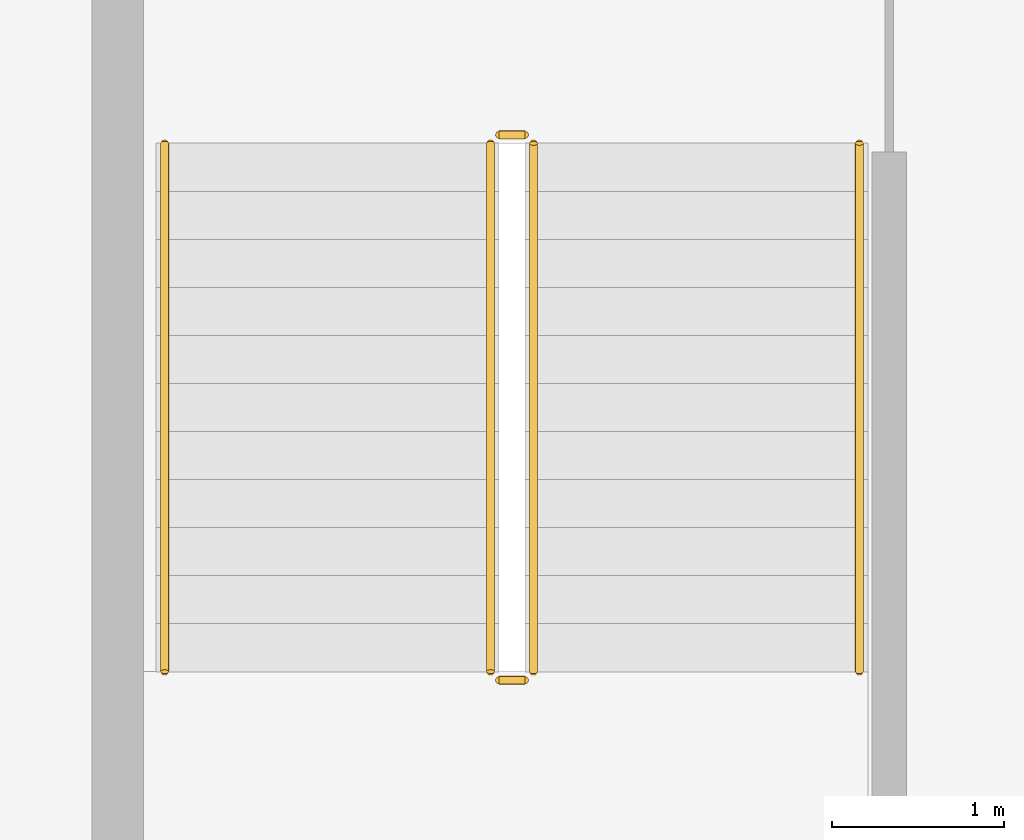
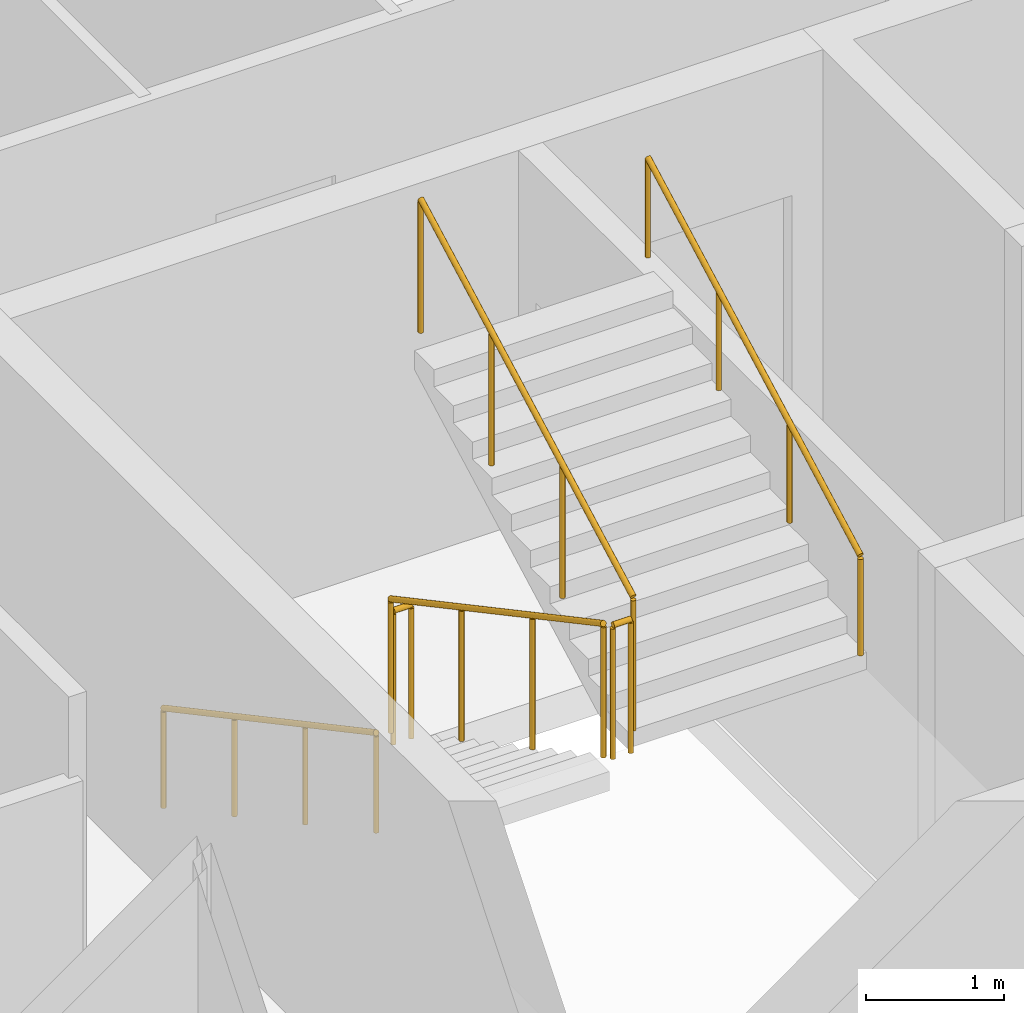
# One storey, part 13 of 15: 6 railings.
"""IFC4 building model written with IfcOpenShell, lengths in metres."""

import ifcopenshell
import ifcopenshell.guid

model = None  # the IFC model being written
_history = None  # IfcOwnerHistory: only IFC2X3 demands one
_inside = {}  # id of a spatial element -> (the spatial element, [elements in it])
_under = {}  # id of a project, library or spatial element -> (it, [spatial elements below it])
_declared = {}  # id of a project -> (the project, [libraries it declares])
_typed = {}  # id of a type object -> (the type object, [elements of that type])
_made_of = {}  # id of a material, layer set ... -> (it, [elements and type objects made of it])


def new_model(schema):
    """Start an empty IFC model of exactly this schema.

    Asked for "IFC4X3", IfcOpenShell would pick the latest addendum, in which some entities
    have other attributes; the version numbers below select the first issue.
    IFC2X3 requires an IfcOwnerHistory on every rooted entity: one is made here for all.
    """
    global model, _history
    if schema == "IFC4X3":
        model = ifcopenshell.file(schema_version=(4, 3, 0, 0))
    else:
        model = ifcopenshell.file(schema=schema)
    _inside.clear()
    _under.clear()
    _declared.clear()
    _typed.clear()
    _made_of.clear()
    _history = None
    if model.schema == "IFC2X3":
        org = make("IfcOrganization", Name="unknown")
        user = make(
            "IfcPersonAndOrganization",
            ThePerson=make("IfcPerson", FamilyName="unknown"),
            TheOrganization=org,
        )
        app = make(
            "IfcApplication",
            ApplicationDeveloper=org,
            Version="unknown",
            ApplicationFullName="unknown",
            ApplicationIdentifier="unknown",
        )
        _history = make(
            "IfcOwnerHistory",
            OwningUser=user,
            OwningApplication=app,
            ChangeAction="ADDED",
            CreationDate=0,
        )
    return model


def make(cls, **values):
    """One entity of the class cls with the attributes given. An attribute that is None is left unset."""
    return model.create_entity(
        cls, **{name: value for name, value in values.items() if value is not None}
    )


def rooted(cls, **values):
    """An entity with a GlobalId (a new one), such as an element, a storey or a relation."""
    return make(cls, GlobalId=ifcopenshell.guid.new(), OwnerHistory=_history, **values)


def si_unit(unit_type, name, prefix=None):
    """IfcSIUnit, for example si_unit("LENGTHUNIT", "METRE", prefix="MILLI")."""
    return make("IfcSIUnit", UnitType=unit_type, Prefix=prefix, Name=name)


def assignment(units):
    """IfcUnitAssignment: the units of a project."""
    return None if units is None else make("IfcUnitAssignment", Units=units)


def point(xyz):
    """IfcCartesianPoint."""
    return None if xyz is None else make("IfcCartesianPoint", Coordinates=xyz)


def direction(xyz):
    """IfcDirection."""
    return None if xyz is None else make("IfcDirection", DirectionRatios=xyz)


def frame(location, z_axis=None, x_axis=None):
    """IfcAxis2Placement3D, a coordinate frame: its origin and axes. An axis left out is left unset."""
    return make(
        "IfcAxis2Placement3D",
        Location=point(location),
        Axis=direction(z_axis),
        RefDirection=direction(x_axis),
    )


def frame_2d(location, x_axis=None):
    """IfcAxis2Placement2D, a coordinate frame in the plane: its origin and x axis."""
    return make(
        "IfcAxis2Placement2D", Location=point(location), RefDirection=direction(x_axis)
    )


def origin():
    """The frame at (0, 0, 0) with its axes left unset."""
    return frame((0.0, 0.0, 0.0))


def origin_2d():
    """The frame at (0, 0) in the plane with its x axis left unset."""
    return frame_2d((0.0, 0.0))


def place(relative_to, where):
    """IfcLocalPlacement: puts the frame where relative to a parent placement (None: the world)."""
    return make(
        "IfcLocalPlacement", PlacementRelTo=relative_to, RelativePlacement=where
    )


def context(
    kind, dimensions, precision=None, world=None, true_north=None, identifier=None
):
    """IfcGeometricRepresentationContext, for example the 3D "Model" context."""
    return make(
        "IfcGeometricRepresentationContext",
        ContextIdentifier=identifier,
        ContextType=kind,
        CoordinateSpaceDimension=dimensions,
        Precision=precision,
        WorldCoordinateSystem=world,
        TrueNorth=true_north,
    )


def subcontext(parent, identifier, kind, view, scale=None):
    """IfcGeometricRepresentationSubContext, for example "Body" below "Model"."""
    return make(
        "IfcGeometricRepresentationSubContext",
        ContextIdentifier=identifier,
        ContextType=kind,
        ParentContext=parent,
        TargetScale=scale,
        TargetView=view,
    )


def project(units=None, contexts=None):
    """IfcProject with its units and contexts."""
    return rooted(
        "IfcProject",
        Name="project",
        RepresentationContexts=contexts,
        UnitsInContext=assignment(units),
    )


def spatial(cls, under=None, at=None, **own):
    """A site, building, storey or space (cls), placed at a placement, below another one or the project."""
    s = rooted(cls, ObjectPlacement=at, **own)
    if under is not None:
        _under.setdefault(under.id(), (under, []))[1].append(s)
    return s


def profile(cls, at=None, kind="AREA", **sizes):
    """A parametric profile (cls). Its sizes go by their IFC names, for example OverallWidth=200.0."""
    return make(cls, ProfileType=kind, Position=at, **sizes)


def circle(**sizes):
    """IfcCircleProfileDef."""
    return profile("IfcCircleProfileDef", **sizes)


def extrude(swept, where, along, depth):
    """IfcExtrudedAreaSolid: the profile swept, set in the frame where, extruded along a direction by depth."""
    return make(
        "IfcExtrudedAreaSolid",
        SweptArea=swept,
        Position=where,
        ExtrudedDirection=direction(along),
        Depth=depth,
    )


def shape(context_of_items, identifier, shape_type, items):
    """IfcShapeRepresentation: the items that make up one representation, for example the "Body"."""
    return make(
        "IfcShapeRepresentation",
        ContextOfItems=context_of_items,
        RepresentationIdentifier=identifier,
        RepresentationType=shape_type,
        Items=items,
    )


def material(Name=None, Category=None):
    """IfcMaterial."""
    return make("IfcMaterial", Name=Name, Category=Category)


def made_of(thing, what):
    """Note that an element or type object is made of a material, layer set ...; save() writes the relation."""
    if what is not None:
        _made_of.setdefault(what.id(), (what, []))[1].append(thing)
    return thing


def type_object(cls, material=None, **own):
    """A type object (cls), such as IfcWallType, which elements share."""
    return made_of(rooted(cls, **own), material)


def element(
    cls,
    number,
    at=None,
    inside=None,
    cuts=None,
    type_object=None,
    material=None,
    context=None,
    identifier="Body",
    shape_type=None,
    held_by="IfcProductDefinitionShape",
    body=None,
    shapes=None,
    **own,
):
    """One element of the class cls, such as IfcWall. Its Tag is "e" and its number.

    at: its placement. inside: the storey or other place that contains it. cuts: it is an
    opening in that element (IfcRelVoidsElement). A single representation is given by context,
    identifier, shape_type and body (its items); several are given by shapes. held_by: the class
    of the entity that holds the representations. save() writes the other relations.
    """
    e = rooted(cls, Tag="e%d" % number, ObjectPlacement=at, **own)
    if body is not None:
        shapes = [shape(context, identifier, shape_type, body)]
    if shapes is not None:
        e.Representation = make(held_by, Representations=shapes)
    if inside is not None:
        _inside.setdefault(inside.id(), (inside, []))[1].append(e)
    if cuts is not None:
        rooted(
            "IfcRelVoidsElement", RelatingBuildingElement=cuts, RelatedOpeningElement=e
        )
    if type_object is not None:
        _typed.setdefault(type_object.id(), (type_object, []))[1].append(e)
    return made_of(e, material)


def aggregate(whole, parts):
    """IfcRelAggregates: a whole, such as a stair, and the parts it consists of."""
    return rooted("IfcRelAggregates", RelatingObject=whole, RelatedObjects=parts)


def save(model, path):
    """Write the relations noted so far, then the file.

    IfcRelAggregates (storeys below a building ...), IfcRelContainedInSpatialStructure (elements
    in a storey), IfcRelDefinesByType, IfcRelAssociatesMaterial and IfcRelDeclares: one each for
    every whole, place, type object, material and project.
    """
    for whole, parts in _under.values():
        aggregate(whole, parts)
    for where, things in _inside.values():
        rooted(
            "IfcRelContainedInSpatialStructure",
            RelatedElements=things,
            RelatingStructure=where,
        )
    for kind, things in _typed.values():
        rooted("IfcRelDefinesByType", RelatedObjects=things, RelatingType=kind)
    for what, things in _made_of.values():
        rooted("IfcRelAssociatesMaterial", RelatedObjects=things, RelatingMaterial=what)
    for by, libraries in _declared.values():
        rooted("IfcRelDeclares", RelatingContext=by, RelatedDefinitions=libraries)
    model.write(path)


model = new_model("IFC4")

# Units and contexts
model_context = context("Model", 3, precision=1e-05, world=origin(), true_north=direction((0.0, 1.0)))
body_context = subcontext(model_context, "Body", "Model", "MODEL_VIEW")
ifc_project = project(units=[si_unit("LENGTHUNIT", "METRE"), si_unit("AREAUNIT", "SQUARE_METRE"), si_unit("VOLUMEUNIT", "CUBIC_METRE"), si_unit("PLANEANGLEUNIT", "RADIAN"), si_unit("MASSUNIT", "GRAM", prefix="KILO")], contexts=[model_context])

# Site, building, storey
site_placement = place(None, origin())
site = spatial("IfcSite", under=ifc_project, at=site_placement, CompositionType="ELEMENT")
building_placement = place(site_placement, origin())
building = spatial("IfcBuilding", under=site, at=building_placement, Name="Caravel Reach Hotel and Residences", CompositionType="ELEMENT")
storey_placement = place(building_placement, frame((0.0, 0.0, 60.0)))
storey = spatial("IfcBuildingStorey", under=building, at=storey_placement, Name="L13", CompositionType="ELEMENT", Elevation=60.0)

# Railings
ifc_material_1 = material(Name="Steel balustrade with glass infill", Category="steel")
railing_type_1 = type_object("IfcRailingType", Name="Guard 1200", PredefinedType="GUARDRAIL", material=ifc_material_1)
railing_1_placement = place(storey_placement, frame((20.175048828125, 29.35009765625, 0.14990234375)))
element("IfcRailing", 1, at=railing_1_placement, inside=storey, type_object=railing_type_1, Name="L13 ST-A stair guard 1", PredefinedType="GUARDRAIL", context=body_context, shape_type="SweptSolid", body=[
    extrude(circle(Radius=0.02392578125, at=origin_2d()), frame((0.0, 0.0, 1.17578125), z_axis=(0.0, -0.881467505477, 0.472244678941), x_axis=(1.0, 0.0, 0.0)), (0.0, 0.0, 1.0), 3.494140625),
    extrude(circle(Radius=0.02099609375, at=origin_2d()), origin(), (0.0, 0.0, 1.0), 1.15185546875),
    extrude(circle(Radius=0.02099609375, at=origin_2d()), frame((0.0, -1.026611328125, 0.550048828125)), (0.0, 0.0, 1.0), 1.15185546875),
    extrude(circle(Radius=0.02099609375, at=origin_2d()), frame((0.0, -2.053466796875, 1.10009765625)), (0.0, 0.0, 1.0), 1.15185546875),
    extrude(circle(Radius=0.02099609375, at=origin_2d()), frame((0.0, -3.080078125, 1.650146484375)), (0.0, 0.0, 1.0), 1.15185546875),
])
railing_2_placement = place(storey_placement, frame((20.22509765625, 26.219970703125, 1.800048828125)))
element("IfcRailing", 2, at=railing_2_placement, inside=storey, type_object=railing_type_1, Name="L13 ST-A stair guard 2", PredefinedType="GUARDRAIL", context=body_context, shape_type="SweptSolid", body=[
    extrude(circle(Radius=0.02392578125, at=origin_2d()), frame((0.0, 0.0, 1.17578125), z_axis=(1.0, 0.0, 0.0), x_axis=(0.0, 1.0, 0.0)), (0.0, 0.0, 1.0), 0.14990234375),
    extrude(circle(Radius=0.02099609375, at=origin_2d()), origin(), (0.0, 0.0, 1.0), 1.15185546875),
    extrude(circle(Radius=0.02099609375, at=origin_2d()), frame((0.14990234375, 0.0, 0.0)), (0.0, 0.0, 1.0), 1.15185546875),
])
railing_3_placement = place(storey_placement, frame((20.425048828125, 26.27001953125, 1.949951171875)))
element("IfcRailing", 3, at=railing_3_placement, inside=storey, type_object=railing_type_1, Name="L13 ST-A stair guard 3", PredefinedType="GUARDRAIL", context=body_context, shape_type="SweptSolid", body=[
    extrude(circle(Radius=0.02392578125, at=origin_2d()), frame((0.0, 0.0, 1.17578125), z_axis=(0.0, 0.881467505477, 0.472244678941), x_axis=(-1.0, 0.0, 0.0)), (0.0, 0.0, 1.0), 3.494140625),
    extrude(circle(Radius=0.02099609375, at=origin_2d()), origin(), (0.0, 0.0, 1.0), 1.15185546875),
    extrude(circle(Radius=0.02099609375, at=origin_2d()), frame((0.0, 1.026611328125, 0.550048828125)), (0.0, 0.0, 1.0), 1.15185546875),
    extrude(circle(Radius=0.02099609375, at=origin_2d()), frame((0.0, 2.053466796875, 1.10009765625)), (0.0, 0.0, 1.0), 1.15185546875),
    extrude(circle(Radius=0.02099609375, at=origin_2d()), frame((0.0, 3.080078125, 1.650146484375)), (0.0, 0.0, 1.0), 1.15185546875),
])
railing_4_placement = place(storey_placement, frame((20.22509765625, 29.39990234375, 0.0)))
element("IfcRailing", 4, at=railing_4_placement, inside=storey, type_object=railing_type_1, Name="L13 ST-A stair guard 4", PredefinedType="GUARDRAIL", context=body_context, shape_type="SweptSolid", body=[
    extrude(circle(Radius=0.02392578125, at=origin_2d()), frame((0.0, 0.0, 1.17578125), z_axis=(1.0, 0.0, 0.0), x_axis=(0.0, 1.0, 0.0)), (0.0, 0.0, 1.0), 0.14990234375),
    extrude(circle(Radius=0.02099609375, at=origin_2d()), origin(), (0.0, 0.0, 1.0), 1.15185546875),
    extrude(circle(Radius=0.02099609375, at=origin_2d()), frame((0.14990234375, 0.0, 0.0)), (0.0, 0.0, 1.0), 1.15185546875),
])
ifc_material_2 = material(Name="Stainless steel handrail", Category="steel")
railing_type_2 = type_object("IfcRailingType", Name="Handrail 900", PredefinedType="HANDRAIL", material=ifc_material_2)
railing_5_placement = place(storey_placement, frame((18.27490234375, 29.35009765625, 0.14990234375)))
element("IfcRailing", 5, at=railing_5_placement, inside=storey, type_object=railing_type_2, Name="L13 ST-A stair handrail 1", PredefinedType="HANDRAIL", context=body_context, shape_type="SweptSolid", body=[
    extrude(circle(Radius=0.02392578125, at=origin_2d()), frame((0.0, 0.0, 0.8759765625), z_axis=(0.0, -0.881467505477, 0.472244678941), x_axis=(1.0, 0.0, 0.0)), (0.0, 0.0, 1.0), 3.494140625),
    extrude(circle(Radius=0.02099609375, at=origin_2d()), origin(), (0.0, 0.0, 1.0), 0.851806640625),
    extrude(circle(Radius=0.02099609375, at=origin_2d()), frame((0.0, -1.026611328125, 0.550048828125)), (0.0, 0.0, 1.0), 0.851806640625),
    extrude(circle(Radius=0.02099609375, at=origin_2d()), frame((0.0, -2.053466796875, 1.10009765625)), (0.0, 0.0, 1.0), 0.851806640625),
    extrude(circle(Radius=0.02099609375, at=origin_2d()), frame((0.0, -3.080078125, 1.650146484375)), (0.0, 0.0, 1.0), 0.851806640625),
])
railing_6_placement = place(storey_placement, frame((22.324951171875, 26.27001953125, 1.949951171875)))
element("IfcRailing", 6, at=railing_6_placement, inside=storey, type_object=railing_type_2, Name="L13 ST-A stair handrail 2", PredefinedType="HANDRAIL", context=body_context, shape_type="SweptSolid", body=[
    extrude(circle(Radius=0.02392578125, at=origin_2d()), frame((0.0, 0.0, 0.8759765625), z_axis=(0.0, 0.881467505477, 0.472244678941), x_axis=(-1.0, 0.0, 0.0)), (0.0, 0.0, 1.0), 3.494140625),
    extrude(circle(Radius=0.02099609375, at=origin_2d()), origin(), (0.0, 0.0, 1.0), 0.851806640625),
    extrude(circle(Radius=0.02099609375, at=origin_2d()), frame((0.0, 1.026611328125, 0.550048828125)), (0.0, 0.0, 1.0), 0.851806640625),
    extrude(circle(Radius=0.02099609375, at=origin_2d()), frame((0.0, 2.053466796875, 1.10009765625)), (0.0, 0.0, 1.0), 0.851806640625),
    extrude(circle(Radius=0.02099609375, at=origin_2d()), frame((0.0, 3.080078125, 1.650146484375)), (0.0, 0.0, 1.0), 0.851806640625),
])

save(model, "model.ifc")
